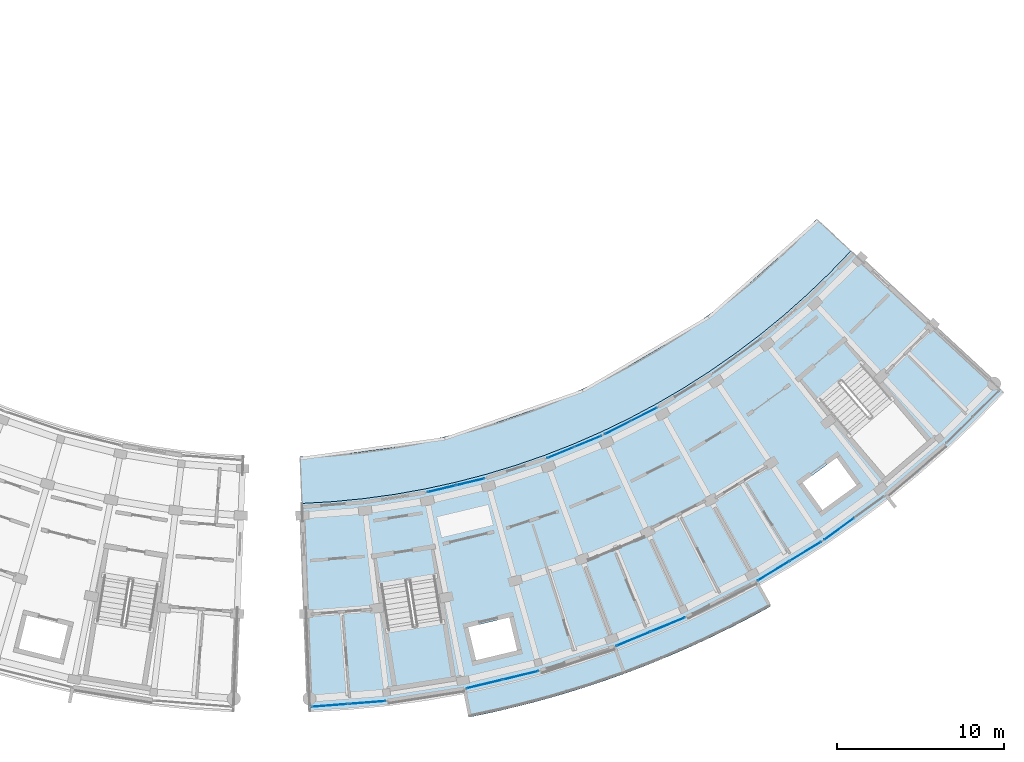
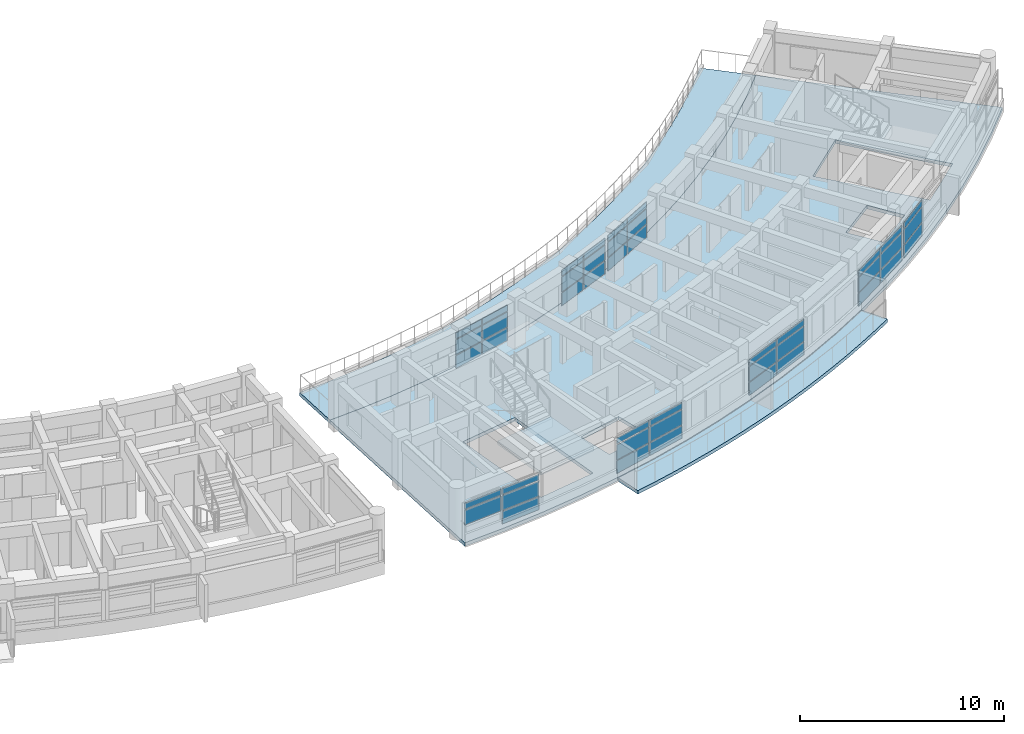
# One storey, part 25 of 54: 44 plates, 4 slabs, 9 elements without a shape of their own.
"""IFC4 building model written with IfcOpenShell, lengths in metres."""

import ifcopenshell
import ifcopenshell.guid

model = None  # the IFC model being written
_history = None  # IfcOwnerHistory: only IFC2X3 demands one
_inside = {}  # id of a spatial element -> (the spatial element, [elements in it])
_under = {}  # id of a project, library or spatial element -> (it, [spatial elements below it])
_declared = {}  # id of a project -> (the project, [libraries it declares])
_typed = {}  # id of a type object -> (the type object, [elements of that type])
_made_of = {}  # id of a material, layer set ... -> (it, [elements and type objects made of it])


def new_model(schema):
    """Start an empty IFC model of exactly this schema.

    Asked for "IFC4X3", IfcOpenShell would pick the latest addendum, in which some entities
    have other attributes; the version numbers below select the first issue.
    IFC2X3 requires an IfcOwnerHistory on every rooted entity: one is made here for all.
    """
    global model, _history
    if schema == "IFC4X3":
        model = ifcopenshell.file(schema_version=(4, 3, 0, 0))
    else:
        model = ifcopenshell.file(schema=schema)
    _inside.clear()
    _under.clear()
    _declared.clear()
    _typed.clear()
    _made_of.clear()
    _history = None
    if model.schema == "IFC2X3":
        org = make("IfcOrganization", Name="unknown")
        user = make(
            "IfcPersonAndOrganization",
            ThePerson=make("IfcPerson", FamilyName="unknown"),
            TheOrganization=org,
        )
        app = make(
            "IfcApplication",
            ApplicationDeveloper=org,
            Version="unknown",
            ApplicationFullName="unknown",
            ApplicationIdentifier="unknown",
        )
        _history = make(
            "IfcOwnerHistory",
            OwningUser=user,
            OwningApplication=app,
            ChangeAction="ADDED",
            CreationDate=0,
        )
    return model


def make(cls, **values):
    """One entity of the class cls with the attributes given. An attribute that is None is left unset."""
    return model.create_entity(
        cls, **{name: value for name, value in values.items() if value is not None}
    )


def rooted(cls, **values):
    """An entity with a GlobalId (a new one), such as an element, a storey or a relation."""
    return make(cls, GlobalId=ifcopenshell.guid.new(), OwnerHistory=_history, **values)


def si_unit(unit_type, name, prefix=None):
    """IfcSIUnit, for example si_unit("LENGTHUNIT", "METRE", prefix="MILLI")."""
    return make("IfcSIUnit", UnitType=unit_type, Prefix=prefix, Name=name)


def assignment(units):
    """IfcUnitAssignment: the units of a project."""
    return None if units is None else make("IfcUnitAssignment", Units=units)


def point(xyz):
    """IfcCartesianPoint."""
    return None if xyz is None else make("IfcCartesianPoint", Coordinates=xyz)


def direction(xyz):
    """IfcDirection."""
    return None if xyz is None else make("IfcDirection", DirectionRatios=xyz)


def frame(location, z_axis=None, x_axis=None):
    """IfcAxis2Placement3D, a coordinate frame: its origin and axes. An axis left out is left unset."""
    return make(
        "IfcAxis2Placement3D",
        Location=point(location),
        Axis=direction(z_axis),
        RefDirection=direction(x_axis),
    )


def frame_2d(location, x_axis=None):
    """IfcAxis2Placement2D, a coordinate frame in the plane: its origin and x axis."""
    return make(
        "IfcAxis2Placement2D", Location=point(location), RefDirection=direction(x_axis)
    )


def origin():
    """The frame at (0, 0, 0) with its axes left unset."""
    return frame((0.0, 0.0, 0.0))


def origin_2d():
    """The frame at (0, 0) in the plane with its x axis left unset."""
    return frame_2d((0.0, 0.0))


def place(relative_to, where):
    """IfcLocalPlacement: puts the frame where relative to a parent placement (None: the world)."""
    return make(
        "IfcLocalPlacement", PlacementRelTo=relative_to, RelativePlacement=where
    )


def context(
    kind, dimensions, precision=None, world=None, true_north=None, identifier=None
):
    """IfcGeometricRepresentationContext, for example the 3D "Model" context."""
    return make(
        "IfcGeometricRepresentationContext",
        ContextIdentifier=identifier,
        ContextType=kind,
        CoordinateSpaceDimension=dimensions,
        Precision=precision,
        WorldCoordinateSystem=world,
        TrueNorth=true_north,
    )


def subcontext(parent, identifier, kind, view, scale=None):
    """IfcGeometricRepresentationSubContext, for example "Body" below "Model"."""
    return make(
        "IfcGeometricRepresentationSubContext",
        ContextIdentifier=identifier,
        ContextType=kind,
        ParentContext=parent,
        TargetScale=scale,
        TargetView=view,
    )


def project(units=None, contexts=None):
    """IfcProject with its units and contexts."""
    return rooted(
        "IfcProject",
        Name="project",
        RepresentationContexts=contexts,
        UnitsInContext=assignment(units),
    )


def spatial(cls, under=None, at=None, **own):
    """A site, building, storey or space (cls), placed at a placement, below another one or the project."""
    s = rooted(cls, ObjectPlacement=at, **own)
    if under is not None:
        _under.setdefault(under.id(), (under, []))[1].append(s)
    return s


def polyline(points):
    """IfcPolyline through the points."""
    return make("IfcPolyline", Points=[point(p) for p in points])


def profile(cls, at=None, kind="AREA", **sizes):
    """A parametric profile (cls). Its sizes go by their IFC names, for example OverallWidth=200.0."""
    return make(cls, ProfileType=kind, Position=at, **sizes)


def rectangle(**sizes):
    """IfcRectangleProfileDef."""
    return profile("IfcRectangleProfileDef", **sizes)


def outline(outer, holes=None, kind="AREA"):
    """IfcArbitraryClosedProfileDef: a profile drawn as a closed curve; with holes, ...WithVoids."""
    if holes is None:
        return make("IfcArbitraryClosedProfileDef", ProfileType=kind, OuterCurve=outer)
    return make(
        "IfcArbitraryProfileDefWithVoids",
        ProfileType=kind,
        OuterCurve=outer,
        InnerCurves=holes,
    )


def extrude(swept, where, along, depth):
    """IfcExtrudedAreaSolid: the profile swept, set in the frame where, extruded along a direction by depth."""
    return make(
        "IfcExtrudedAreaSolid",
        SweptArea=swept,
        Position=where,
        ExtrudedDirection=direction(along),
        Depth=depth,
    )


def shape(context_of_items, identifier, shape_type, items):
    """IfcShapeRepresentation: the items that make up one representation, for example the "Body"."""
    return make(
        "IfcShapeRepresentation",
        ContextOfItems=context_of_items,
        RepresentationIdentifier=identifier,
        RepresentationType=shape_type,
        Items=items,
    )


def material(Name=None, Category=None):
    """IfcMaterial."""
    return make("IfcMaterial", Name=Name, Category=Category)


def layer(
    of_material, thickness, ventilated=None, Name=None, Category=None, Priority=None
):
    """IfcMaterialLayer: one layer of a wall or slab, of a material (None: an air gap)."""
    return make(
        "IfcMaterialLayer",
        Material=of_material,
        LayerThickness=thickness,
        IsVentilated=ventilated,
        Name=Name,
        Category=Category,
        Priority=Priority,
    )


def layer_set(layers, Name=None):
    """IfcMaterialLayerSet."""
    return make("IfcMaterialLayerSet", MaterialLayers=layers, LayerSetName=Name)


def made_of(thing, what):
    """Note that an element or type object is made of a material, layer set ...; save() writes the relation."""
    if what is not None:
        _made_of.setdefault(what.id(), (what, []))[1].append(thing)
    return thing


def type_object(cls, material=None, **own):
    """A type object (cls), such as IfcWallType, which elements share."""
    return made_of(rooted(cls, **own), material)


def element(
    cls,
    number,
    at=None,
    inside=None,
    cuts=None,
    type_object=None,
    material=None,
    context=None,
    identifier="Body",
    shape_type=None,
    held_by="IfcProductDefinitionShape",
    body=None,
    shapes=None,
    **own,
):
    """One element of the class cls, such as IfcWall. Its Tag is "e" and its number.

    at: its placement. inside: the storey or other place that contains it. cuts: it is an
    opening in that element (IfcRelVoidsElement). A single representation is given by context,
    identifier, shape_type and body (its items); several are given by shapes. held_by: the class
    of the entity that holds the representations. save() writes the other relations.
    """
    e = rooted(cls, Tag="e%d" % number, ObjectPlacement=at, **own)
    if body is not None:
        shapes = [shape(context, identifier, shape_type, body)]
    if shapes is not None:
        e.Representation = make(held_by, Representations=shapes)
    if inside is not None:
        _inside.setdefault(inside.id(), (inside, []))[1].append(e)
    if cuts is not None:
        rooted(
            "IfcRelVoidsElement", RelatingBuildingElement=cuts, RelatedOpeningElement=e
        )
    if type_object is not None:
        _typed.setdefault(type_object.id(), (type_object, []))[1].append(e)
    return made_of(e, material)


def aggregate(whole, parts):
    """IfcRelAggregates: a whole, such as a stair, and the parts it consists of."""
    return rooted("IfcRelAggregates", RelatingObject=whole, RelatedObjects=parts)


def save(model, path):
    """Write the relations noted so far, then the file.

    IfcRelAggregates (storeys below a building ...), IfcRelContainedInSpatialStructure (elements
    in a storey), IfcRelDefinesByType, IfcRelAssociatesMaterial and IfcRelDeclares: one each for
    every whole, place, type object, material and project.
    """
    for whole, parts in _under.values():
        aggregate(whole, parts)
    for where, things in _inside.values():
        rooted(
            "IfcRelContainedInSpatialStructure",
            RelatedElements=things,
            RelatingStructure=where,
        )
    for kind, things in _typed.values():
        rooted("IfcRelDefinesByType", RelatedObjects=things, RelatingType=kind)
    for what, things in _made_of.values():
        rooted("IfcRelAssociatesMaterial", RelatedObjects=things, RelatingMaterial=what)
    for by, libraries in _declared.values():
        rooted("IfcRelDeclares", RelatingContext=by, RelatedDefinitions=libraries)
    model.write(path)


model = new_model("IFC4")

# Units and contexts
model_context = context("Model", 3, precision=1e-05, world=origin(), true_north=direction((0.0, 1.0)))
body_context = subcontext(model_context, "Body", "Model", "MODEL_VIEW")
ifc_project = project(units=[si_unit("LENGTHUNIT", "METRE"), si_unit("AREAUNIT", "SQUARE_METRE"), si_unit("VOLUMEUNIT", "CUBIC_METRE"), si_unit("PLANEANGLEUNIT", "RADIAN"), si_unit("MASSUNIT", "GRAM", prefix="KILO")], contexts=[model_context])

# Site, building, storey
site_placement = place(None, origin())
site = spatial("IfcSite", under=ifc_project, at=site_placement, CompositionType="ELEMENT")
building_placement = place(site_placement, origin())
building = spatial("IfcBuilding", under=site, at=building_placement, Name="Zimvara Arc Housing Community", CompositionType="ELEMENT")
storey_placement = place(building_placement, frame((0.0, 0.0, 20.5)))
storey = spatial("IfcBuildingStorey", under=building, at=storey_placement, Name="L06", CompositionType="ELEMENT", Elevation=20.5)

# Curtain wall, plates
ifc_material_1 = material(Name="Anodised Aluminium AW-6063", Category="aluminium")
curtain_wall_type_1 = type_object("IfcCurtainWallType", Name="CW-SYS-08", PredefinedType="USERDEFINED", material=ifc_material_1)
curtain_wall_1_placement = place(storey_placement, origin())
curtain_wall_1 = element("IfcCurtainWall", 1, at=curtain_wall_1_placement, inside=storey, type_object=curtain_wall_type_1, Name="cw:blkD:L06:out:b4", ObjectType="CURTAIN WALL", PredefinedType="USERDEFINED")
ifc_material_2 = material(Name="Pale-Gold Anodised Aluminium Spandrel Panel", Category="aluminium")
ifc_layer_1 = layer(ifc_material_2, 0.035888671875)
ifc_layer_set_1 = layer_set([ifc_layer_1], Name="Pale-Gold Anodised Aluminium Spandrel Panel")
plate_type_1 = type_object("IfcPlateType", Name="CWP-GLD-36", PredefinedType="CURTAIN_PANEL", material=ifc_layer_set_1)
plate_1_placement = place(storey_placement, frame((147.603759765625, 54.594970703125, 0.06494140625), z_axis=(0.0, 0.0, 1.0), x_axis=(0.924213377749, 0.38187646221, 0.0)))
plate_1 = element("IfcPlate", 2, at=plate_1_placement, type_object=plate_type_1, Name="CW08 panel 1.1", PredefinedType="CURTAIN_PANEL", context=body_context, shape_type="SweptSolid", body=[
    extrude(rectangle(XDim=2.173828125, YDim=0.035888671875, at=origin_2d()), origin(), (0.0, 0.0, 1.0), 0.75244140625),
])
plate_2_placement = place(storey_placement, frame((147.603759765625, 54.594970703125, 0.88232421875), z_axis=(0.0, 0.0, 1.0), x_axis=(0.924213377749, 0.38187646221, 0.0)))
plate_2 = element("IfcPlate", 3, at=plate_2_placement, type_object=plate_type_1, Name="CW08 panel 1.2", PredefinedType="CURTAIN_PANEL", context=body_context, shape_type="SweptSolid", body=[
    extrude(rectangle(XDim=2.173828125, YDim=0.035888671875, at=origin_2d()), origin(), (0.0, 0.0, 1.0), 0.885009765625),
])
plate_3_placement = place(storey_placement, frame((147.603759765625, 54.594970703125, 1.83251953125), z_axis=(0.0, 0.0, 1.0), x_axis=(0.924213377749, 0.38187646221, 0.0)))
plate_3 = element("IfcPlate", 4, at=plate_3_placement, type_object=plate_type_1, Name="CW08 panel 1.3", PredefinedType="CURTAIN_PANEL", context=body_context, shape_type="SweptSolid", body=[
    extrude(rectangle(XDim=2.173828125, YDim=0.035888671875, at=origin_2d()), origin(), (0.0, 0.0, 1.0), 0.3525390625),
])
plate_4_placement = place(storey_placement, frame((149.6728515625, 55.449951171875, 0.06494140625), z_axis=(0.0, 0.0, 1.0), x_axis=(0.924213377749, 0.38187646221, 0.0)))
plate_4 = element("IfcPlate", 5, at=plate_4_placement, type_object=plate_type_1, Name="CW08 panel 2.1", PredefinedType="CURTAIN_PANEL", context=body_context, shape_type="SweptSolid", body=[
    extrude(rectangle(XDim=2.173828125, YDim=0.035888671875, at=origin_2d()), origin(), (0.0, 0.0, 1.0), 0.75244140625),
])
plate_5_placement = place(storey_placement, frame((149.6728515625, 55.449951171875, 0.88232421875), z_axis=(0.0, 0.0, 1.0), x_axis=(0.924213377749, 0.38187646221, 0.0)))
plate_5 = element("IfcPlate", 6, at=plate_5_placement, type_object=plate_type_1, Name="CW08 panel 2.2", PredefinedType="CURTAIN_PANEL", context=body_context, shape_type="SweptSolid", body=[
    extrude(rectangle(XDim=2.173828125, YDim=0.035888671875, at=origin_2d()), origin(), (0.0, 0.0, 1.0), 0.885009765625),
])
plate_6_placement = place(storey_placement, frame((149.6728515625, 55.449951171875, 1.83251953125), z_axis=(0.0, 0.0, 1.0), x_axis=(0.924213377749, 0.38187646221, 0.0)))
plate_6 = element("IfcPlate", 7, at=plate_6_placement, type_object=plate_type_1, Name="CW08 panel 2.3", PredefinedType="CURTAIN_PANEL", context=body_context, shape_type="SweptSolid", body=[
    extrude(rectangle(XDim=2.173828125, YDim=0.035888671875, at=origin_2d()), origin(), (0.0, 0.0, 1.0), 0.3525390625),
])
aggregate(curtain_wall_1, [plate_1, plate_2, plate_3, plate_4, plate_5, plate_6])

ifc_material_3 = material(Name="Anodised Aluminium AW-6063", Category="aluminium")
curtain_wall_type_2 = type_object("IfcCurtainWallType", Name="CW-SYS-04", PredefinedType="USERDEFINED", material=ifc_material_3)
curtain_wall_2_placement = place(storey_placement, origin())
curtain_wall_2 = element("IfcCurtainWall", 8, at=curtain_wall_2_placement, inside=storey, type_object=curtain_wall_type_2, Name="cw:blkD:L06:out:b7", ObjectType="CURTAIN WALL", PredefinedType="USERDEFINED")
plate_7_placement = place(storey_placement, frame((159.90771484375, 61.169921875, 0.06494140625), z_axis=(0.0, 0.0, 1.0), x_axis=(0.809530431263, 0.587077917196, 0.0)))
plate_7 = element("IfcPlate", 9, at=plate_7_placement, type_object=plate_type_1, Name="CW04 panel 1.1", PredefinedType="CURTAIN_PANEL", context=body_context, shape_type="SweptSolid", body=[
    extrude(rectangle(XDim=2.173828125, YDim=0.035888671875, at=origin_2d()), origin(), (0.0, 0.0, 1.0), 0.75244140625),
])
plate_8_placement = place(storey_placement, frame((159.90771484375, 61.169921875, 0.88232421875), z_axis=(0.0, 0.0, 1.0), x_axis=(0.809530431263, 0.587077917196, 0.0)))
plate_8 = element("IfcPlate", 10, at=plate_8_placement, type_object=plate_type_1, Name="CW04 panel 1.2", PredefinedType="CURTAIN_PANEL", context=body_context, shape_type="SweptSolid", body=[
    extrude(rectangle(XDim=2.173828125, YDim=0.035888671875, at=origin_2d()), origin(), (0.0, 0.0, 1.0), 0.885009765625),
])
plate_9_placement = place(storey_placement, frame((159.90771484375, 61.169921875, 1.83251953125), z_axis=(0.0, 0.0, 1.0), x_axis=(0.809530431263, 0.587077917196, 0.0)))
plate_9 = element("IfcPlate", 11, at=plate_9_placement, type_object=plate_type_1, Name="CW04 panel 1.3", PredefinedType="CURTAIN_PANEL", context=body_context, shape_type="SweptSolid", body=[
    extrude(rectangle(XDim=2.173828125, YDim=0.035888671875, at=origin_2d()), origin(), (0.0, 0.0, 1.0), 0.3525390625),
])
aggregate(curtain_wall_2, [plate_7, plate_8, plate_9])

ifc_material_4 = material(Name="Anodised Aluminium AW-6063", Category="aluminium")
curtain_wall_type_3 = type_object("IfcCurtainWallType", Name="CW-SYS-05", PredefinedType="USERDEFINED", material=ifc_material_4)
curtain_wall_3_placement = place(storey_placement, origin())
curtain_wall_3 = element("IfcCurtainWall", 12, at=curtain_wall_3_placement, inside=storey, type_object=curtain_wall_type_3, Name="cw:blkD:L06:out:b0", ObjectType="CURTAIN WALL", PredefinedType="USERDEFINED")
ifc_material_5 = material(Name="Solar Control Low-E Double Glazing", Category="glass")
ifc_layer_2 = layer(ifc_material_5, 0.02392578125)
ifc_layer_set_2 = layer_set([ifc_layer_2], Name="Solar Control Low-E Double Glazing")
plate_type_2 = type_object("IfcPlateType", Name="CWP-GLZ-24", PredefinedType="CURTAIN_PANEL", material=ifc_layer_set_2)
plate_10_placement = place(storey_placement, frame((129.4677734375, 50.61767578125, 0.88232421875), z_axis=(0.0, 0.0, 1.0), x_axis=(0.996985387849, 0.077589538059, 0.0)))
plate_10 = element("IfcPlate", 13, at=plate_10_placement, type_object=plate_type_2, Name="CW05 panel 1.2", PredefinedType="CURTAIN_PANEL", context=body_context, shape_type="SweptSolid", body=[
    extrude(rectangle(XDim=2.173828125, YDim=0.02392578125, at=origin_2d()), origin(), (0.0, 0.0, 1.0), 0.885009765625),
])
plate_11_placement = place(storey_placement, frame((129.4677734375, 50.61767578125, 1.83251953125), z_axis=(0.0, 0.0, 1.0), x_axis=(0.996985387849, 0.077589538059, 0.0)))
plate_11 = element("IfcPlate", 14, at=plate_11_placement, type_object=plate_type_2, Name="CW05 panel 1.3", PredefinedType="CURTAIN_PANEL", context=body_context, shape_type="SweptSolid", body=[
    extrude(rectangle(XDim=2.173828125, YDim=0.02392578125, at=origin_2d()), origin(), (0.0, 0.0, 1.0), 0.3525390625),
])
plate_12_placement = place(storey_placement, frame((131.69970703125, 50.79150390625, 0.06494140625), z_axis=(0.0, 0.0, 1.0), x_axis=(0.996985387849, 0.077589538059, 0.0)))
plate_12 = element("IfcPlate", 15, at=plate_12_placement, type_object=plate_type_2, Name="CW05 panel 2.1", PredefinedType="CURTAIN_PANEL", context=body_context, shape_type="SweptSolid", body=[
    extrude(rectangle(XDim=2.173828125, YDim=0.02392578125, at=origin_2d()), origin(), (0.0, 0.0, 1.0), 0.75244140625),
])
plate_13_placement = place(storey_placement, frame((131.69970703125, 50.79150390625, 0.88232421875), z_axis=(0.0, 0.0, 1.0), x_axis=(0.996985387849, 0.077589538059, 0.0)))
plate_13 = element("IfcPlate", 16, at=plate_13_placement, type_object=plate_type_2, Name="CW05 panel 2.2", PredefinedType="CURTAIN_PANEL", context=body_context, shape_type="SweptSolid", body=[
    extrude(rectangle(XDim=2.173828125, YDim=0.02392578125, at=origin_2d()), origin(), (0.0, 0.0, 1.0), 0.885009765625),
])
plate_14_placement = place(storey_placement, frame((131.69970703125, 50.79150390625, 1.83251953125), z_axis=(0.0, 0.0, 1.0), x_axis=(0.996985387849, 0.077589538059, 0.0)))
plate_14 = element("IfcPlate", 17, at=plate_14_placement, type_object=plate_type_2, Name="CW05 panel 2.3", PredefinedType="CURTAIN_PANEL", context=body_context, shape_type="SweptSolid", body=[
    extrude(rectangle(XDim=2.173828125, YDim=0.02392578125, at=origin_2d()), origin(), (0.0, 0.0, 1.0), 0.3525390625),
])
aggregate(curtain_wall_3, [plate_10, plate_11, plate_12, plate_13, plate_14])

ifc_material_6 = material(Name="Anodised Aluminium AW-6063", Category="aluminium")
curtain_wall_type_4 = type_object("IfcCurtainWallType", Name="CW-SYS-01", PredefinedType="USERDEFINED", material=ifc_material_6)
curtain_wall_4_placement = place(storey_placement, origin())
curtain_wall_4 = element("IfcCurtainWall", 18, at=curtain_wall_4_placement, inside=storey, type_object=curtain_wall_type_4, Name="cw:blkD:L06:in:b4", ObjectType="CURTAIN WALL", PredefinedType="USERDEFINED")
plate_15_placement = place(storey_placement, frame((143.257080078125, 65.729736328125, 0.06494140625), z_axis=(0.0, 0.0, 1.0), x_axis=(0.924212735561, 0.381878016422, 0.0)))
plate_15 = element("IfcPlate", 19, at=plate_15_placement, type_object=plate_type_2, Name="CW01 panel 1.1", PredefinedType="CURTAIN_PANEL", context=body_context, shape_type="SweptSolid", body=[
    extrude(rectangle(XDim=1.7041015625, YDim=0.02392578125, at=origin_2d()), origin(), (0.0, 0.0, 1.0), 0.75244140625),
])
plate_16_placement = place(storey_placement, frame((143.257080078125, 65.729736328125, 0.88232421875), z_axis=(0.0, 0.0, 1.0), x_axis=(0.924212735561, 0.381878016422, 0.0)))
plate_16 = element("IfcPlate", 20, at=plate_16_placement, type_object=plate_type_2, Name="CW01 panel 1.2", PredefinedType="CURTAIN_PANEL", context=body_context, shape_type="SweptSolid", body=[
    extrude(rectangle(XDim=1.7041015625, YDim=0.02392578125, at=origin_2d()), origin(), (0.0, 0.0, 1.0), 0.885009765625),
])
plate_17_placement = place(storey_placement, frame((143.257080078125, 65.729736328125, 1.83251953125), z_axis=(0.0, 0.0, 1.0), x_axis=(0.924212735561, 0.381878016422, 0.0)))
plate_17 = element("IfcPlate", 21, at=plate_17_placement, type_object=plate_type_2, Name="CW01 panel 1.3", PredefinedType="CURTAIN_PANEL", context=body_context, shape_type="SweptSolid", body=[
    extrude(rectangle(XDim=1.7041015625, YDim=0.02392578125, at=origin_2d()), origin(), (0.0, 0.0, 1.0), 0.3525390625),
])
plate_18_placement = place(storey_placement, frame((144.89208984375, 66.405517578125, 0.06494140625), z_axis=(0.0, 0.0, 1.0), x_axis=(0.924212735561, 0.381878016422, 0.0)))
plate_18 = element("IfcPlate", 22, at=plate_18_placement, type_object=plate_type_2, Name="CW01 panel 2.1", PredefinedType="CURTAIN_PANEL", context=body_context, shape_type="SweptSolid", body=[
    extrude(rectangle(XDim=1.7041015625, YDim=0.02392578125, at=origin_2d()), origin(), (0.0, 0.0, 1.0), 0.75244140625),
])
plate_19_placement = place(storey_placement, frame((144.89208984375, 66.405517578125, 0.88232421875), z_axis=(0.0, 0.0, 1.0), x_axis=(0.924212735561, 0.381878016422, 0.0)))
plate_19 = element("IfcPlate", 23, at=plate_19_placement, type_object=plate_type_2, Name="CW01 panel 2.2", PredefinedType="CURTAIN_PANEL", context=body_context, shape_type="SweptSolid", body=[
    extrude(rectangle(XDim=1.7041015625, YDim=0.02392578125, at=origin_2d()), origin(), (0.0, 0.0, 1.0), 0.885009765625),
])
plate_20_placement = place(storey_placement, frame((144.89208984375, 66.405517578125, 1.83251953125), z_axis=(0.0, 0.0, 1.0), x_axis=(0.924212735561, 0.381878016422, 0.0)))
plate_20 = element("IfcPlate", 24, at=plate_20_placement, type_object=plate_type_2, Name="CW01 panel 2.3", PredefinedType="CURTAIN_PANEL", context=body_context, shape_type="SweptSolid", body=[
    extrude(rectangle(XDim=1.7041015625, YDim=0.02392578125, at=origin_2d()), origin(), (0.0, 0.0, 1.0), 0.3525390625),
])
aggregate(curtain_wall_4, [plate_15, plate_16, plate_17, plate_18, plate_19, plate_20])

ifc_material_7 = material(Name="Anodised Aluminium AW-6063", Category="aluminium")
curtain_wall_type_5 = type_object("IfcCurtainWallType", Name="CW-SYS-06", PredefinedType="USERDEFINED", material=ifc_material_7)
curtain_wall_5_placement = place(storey_placement, origin())
curtain_wall_5 = element("IfcCurtainWall", 25, at=curtain_wall_5_placement, inside=storey, type_object=curtain_wall_type_5, Name="cw:blkD:L06:out:b2", ObjectType="CURTAIN WALL", PredefinedType="USERDEFINED")
ifc_material_8 = material(Name="Solar Control Low-E Double Glazing", Category="glass")
ifc_layer_3 = layer(ifc_material_8, 0.028076171875)
ifc_layer_set_3 = layer_set([ifc_layer_3], Name="Solar Control Low-E Double Glazing")
plate_type_3 = type_object("IfcPlateType", Name="CWP-GLZ-28", PredefinedType="CURTAIN_PANEL", material=ifc_layer_set_3)
plate_21_placement = place(storey_placement, frame((138.6923828125, 51.892822265625, 0.06494140625), z_axis=(0.0, 0.0, 1.0), x_axis=(0.97257325149, 0.232596798101, 0.0)))
plate_21 = element("IfcPlate", 26, at=plate_21_placement, type_object=plate_type_3, Name="CW06 panel 1.1", PredefinedType="CURTAIN_PANEL", context=body_context, shape_type="SweptSolid", body=[
    extrude(rectangle(XDim=2.173828125, YDim=0.028076171875, at=origin_2d()), origin(), (0.0, 0.0, 1.0), 0.75244140625),
])
plate_22_placement = place(storey_placement, frame((138.6923828125, 51.892822265625, 0.88232421875), z_axis=(0.0, 0.0, 1.0), x_axis=(0.97257325149, 0.232596798101, 0.0)))
plate_22 = element("IfcPlate", 27, at=plate_22_placement, type_object=plate_type_3, Name="CW06 panel 1.2", PredefinedType="CURTAIN_PANEL", context=body_context, shape_type="SweptSolid", body=[
    extrude(rectangle(XDim=2.173828125, YDim=0.028076171875, at=origin_2d()), origin(), (0.0, 0.0, 1.0), 0.885009765625),
])
plate_23_placement = place(storey_placement, frame((138.6923828125, 51.892822265625, 1.83251953125), z_axis=(0.0, 0.0, 1.0), x_axis=(0.97257325149, 0.232596798101, 0.0)))
plate_23 = element("IfcPlate", 28, at=plate_23_placement, type_object=plate_type_3, Name="CW06 panel 1.3", PredefinedType="CURTAIN_PANEL", context=body_context, shape_type="SweptSolid", body=[
    extrude(rectangle(XDim=2.173828125, YDim=0.028076171875, at=origin_2d()), origin(), (0.0, 0.0, 1.0), 0.3525390625),
])
plate_24_placement = place(storey_placement, frame((140.86962890625, 52.41357421875, 0.06494140625), z_axis=(0.0, 0.0, 1.0), x_axis=(0.97257325149, 0.232596798101, 0.0)))
plate_24 = element("IfcPlate", 29, at=plate_24_placement, type_object=plate_type_3, Name="CW06 panel 2.1", PredefinedType="CURTAIN_PANEL", context=body_context, shape_type="SweptSolid", body=[
    extrude(rectangle(XDim=2.173828125, YDim=0.028076171875, at=origin_2d()), origin(), (0.0, 0.0, 1.0), 0.75244140625),
])
plate_25_placement = place(storey_placement, frame((140.86962890625, 52.41357421875, 0.88232421875), z_axis=(0.0, 0.0, 1.0), x_axis=(0.97257325149, 0.232596798101, 0.0)))
plate_25 = element("IfcPlate", 30, at=plate_25_placement, type_object=plate_type_3, Name="CW06 panel 2.2", PredefinedType="CURTAIN_PANEL", context=body_context, shape_type="SweptSolid", body=[
    extrude(rectangle(XDim=2.173828125, YDim=0.028076171875, at=origin_2d()), origin(), (0.0, 0.0, 1.0), 0.885009765625),
])
plate_26_placement = place(storey_placement, frame((140.86962890625, 52.41357421875, 1.83251953125), z_axis=(0.0, 0.0, 1.0), x_axis=(0.97257325149, 0.232596798101, 0.0)))
plate_26 = element("IfcPlate", 31, at=plate_26_placement, type_object=plate_type_3, Name="CW06 panel 2.3", PredefinedType="CURTAIN_PANEL", context=body_context, shape_type="SweptSolid", body=[
    extrude(rectangle(XDim=2.173828125, YDim=0.028076171875, at=origin_2d()), origin(), (0.0, 0.0, 1.0), 0.3525390625),
])
aggregate(curtain_wall_5, [plate_21, plate_22, plate_23, plate_24, plate_25, plate_26])

ifc_material_9 = material(Name="Anodised Aluminium AW-6063", Category="aluminium")
curtain_wall_type_6 = type_object("IfcCurtainWallType", Name="CW-SYS-02", PredefinedType="USERDEFINED", material=ifc_material_9)
curtain_wall_6_placement = place(storey_placement, origin())
curtain_wall_6 = element("IfcCurtainWall", 32, at=curtain_wall_6_placement, inside=storey, type_object=curtain_wall_type_6, Name="cw:blkD:L06:in:b5", ObjectType="CURTAIN WALL", PredefinedType="USERDEFINED")
plate_27_placement = place(storey_placement, frame((146.666259765625, 67.221435546875, 0.06494140625), z_axis=(0.0, 0.0, 1.0), x_axis=(0.891402061772, 0.453213376091, 0.0)))
plate_27 = element("IfcPlate", 33, at=plate_27_placement, type_object=plate_type_3, Name="CW02 panel 1.1", PredefinedType="CURTAIN_PANEL", context=body_context, shape_type="SweptSolid", body=[
    extrude(rectangle(XDim=1.7041015625, YDim=0.028076171875, at=origin_2d()), origin(), (0.0, 0.0, 1.0), 0.75244140625),
])
plate_28_placement = place(storey_placement, frame((146.666259765625, 67.221435546875, 0.88232421875), z_axis=(0.0, 0.0, 1.0), x_axis=(0.891402061772, 0.453213376091, 0.0)))
plate_28 = element("IfcPlate", 34, at=plate_28_placement, type_object=plate_type_3, Name="CW02 panel 1.2", PredefinedType="CURTAIN_PANEL", context=body_context, shape_type="SweptSolid", body=[
    extrude(rectangle(XDim=1.7041015625, YDim=0.028076171875, at=origin_2d()), origin(), (0.0, 0.0, 1.0), 0.885009765625),
])
plate_29_placement = place(storey_placement, frame((146.666259765625, 67.221435546875, 1.83251953125), z_axis=(0.0, 0.0, 1.0), x_axis=(0.891402061772, 0.453213376091, 0.0)))
plate_29 = element("IfcPlate", 35, at=plate_29_placement, type_object=plate_type_3, Name="CW02 panel 1.3", PredefinedType="CURTAIN_PANEL", context=body_context, shape_type="SweptSolid", body=[
    extrude(rectangle(XDim=1.7041015625, YDim=0.028076171875, at=origin_2d()), origin(), (0.0, 0.0, 1.0), 0.3525390625),
])
plate_30_placement = place(storey_placement, frame((148.243408203125, 68.023193359375, 0.06494140625), z_axis=(0.0, 0.0, 1.0), x_axis=(0.891402061772, 0.453213376091, 0.0)))
plate_30 = element("IfcPlate", 36, at=plate_30_placement, type_object=plate_type_3, Name="CW02 panel 2.1", PredefinedType="CURTAIN_PANEL", context=body_context, shape_type="SweptSolid", body=[
    extrude(rectangle(XDim=1.7041015625, YDim=0.028076171875, at=origin_2d()), origin(), (0.0, 0.0, 1.0), 0.75244140625),
])
plate_31_placement = place(storey_placement, frame((148.243408203125, 68.023193359375, 0.88232421875), z_axis=(0.0, 0.0, 1.0), x_axis=(0.891402061772, 0.453213376091, 0.0)))
plate_31 = element("IfcPlate", 37, at=plate_31_placement, type_object=plate_type_3, Name="CW02 panel 2.2", PredefinedType="CURTAIN_PANEL", context=body_context, shape_type="SweptSolid", body=[
    extrude(rectangle(XDim=1.7041015625, YDim=0.028076171875, at=origin_2d()), origin(), (0.0, 0.0, 1.0), 0.885009765625),
])
plate_32_placement = place(storey_placement, frame((148.243408203125, 68.023193359375, 1.83251953125), z_axis=(0.0, 0.0, 1.0), x_axis=(0.891402061772, 0.453213376091, 0.0)))
plate_32 = element("IfcPlate", 38, at=plate_32_placement, type_object=plate_type_3, Name="CW02 panel 2.3", PredefinedType="CURTAIN_PANEL", context=body_context, shape_type="SweptSolid", body=[
    extrude(rectangle(XDim=1.7041015625, YDim=0.028076171875, at=origin_2d()), origin(), (0.0, 0.0, 1.0), 0.3525390625),
])
aggregate(curtain_wall_6, [plate_27, plate_28, plate_29, plate_30, plate_31, plate_32])

ifc_material_10 = material(Name="Anodised Aluminium AW-6063", Category="aluminium")
curtain_wall_type_7 = type_object("IfcCurtainWallType", Name="CW-SYS-07", PredefinedType="USERDEFINED", material=ifc_material_10)
curtain_wall_7_placement = place(storey_placement, origin())
curtain_wall_7 = element("IfcCurtainWall", 39, at=curtain_wall_7_placement, inside=storey, type_object=curtain_wall_type_7, Name="cw:blkD:L06:in:b2", ObjectType="CURTAIN WALL", PredefinedType="USERDEFINED")
ifc_material_11 = material(Name="Acoustic Laminated Solar Glazing", Category="glass")
ifc_layer_4 = layer(ifc_material_11, 0.031982421875)
ifc_layer_set_4 = layer_set([ifc_layer_4], Name="Acoustic Laminated Solar Glazing")
plate_type_4 = type_object("IfcPlateType", Name="CWP-GLZ-32", PredefinedType="CURTAIN_PANEL", material=ifc_layer_set_4)
plate_33_placement = place(storey_placement, frame((136.140869140625, 63.5703125, 0.06494140625), z_axis=(0.0, 0.0, 1.0), x_axis=(0.972573200867, 0.232597009774, 0.0)))
plate_33 = element("IfcPlate", 40, at=plate_33_placement, type_object=plate_type_4, Name="CW07 panel 1.1", PredefinedType="CURTAIN_PANEL", context=body_context, shape_type="SweptSolid", body=[
    extrude(rectangle(XDim=1.7041015625, YDim=0.031982421875, at=origin_2d()), origin(), (0.0, 0.0, 1.0), 0.75244140625),
])
plate_34_placement = place(storey_placement, frame((136.140869140625, 63.5703125, 0.88232421875), z_axis=(0.0, 0.0, 1.0), x_axis=(0.972573200867, 0.232597009774, 0.0)))
plate_34 = element("IfcPlate", 41, at=plate_34_placement, type_object=plate_type_4, Name="CW07 panel 1.2", PredefinedType="CURTAIN_PANEL", context=body_context, shape_type="SweptSolid", body=[
    extrude(rectangle(XDim=1.7041015625, YDim=0.031982421875, at=origin_2d()), origin(), (0.0, 0.0, 1.0), 0.885009765625),
])
plate_35_placement = place(storey_placement, frame((136.140869140625, 63.5703125, 1.83251953125), z_axis=(0.0, 0.0, 1.0), x_axis=(0.972573200867, 0.232597009774, 0.0)))
plate_35 = element("IfcPlate", 42, at=plate_35_placement, type_object=plate_type_4, Name="CW07 panel 1.3", PredefinedType="CURTAIN_PANEL", context=body_context, shape_type="SweptSolid", body=[
    extrude(rectangle(XDim=1.7041015625, YDim=0.031982421875, at=origin_2d()), origin(), (0.0, 0.0, 1.0), 0.3525390625),
])
plate_36_placement = place(storey_placement, frame((137.861572265625, 63.98193359375, 0.06494140625), z_axis=(0.0, 0.0, 1.0), x_axis=(0.972573200867, 0.232597009774, 0.0)))
plate_36 = element("IfcPlate", 43, at=plate_36_placement, type_object=plate_type_4, Name="CW07 panel 2.1", PredefinedType="CURTAIN_PANEL", context=body_context, shape_type="SweptSolid", body=[
    extrude(rectangle(XDim=1.7041015625, YDim=0.031982421875, at=origin_2d()), origin(), (0.0, 0.0, 1.0), 0.75244140625),
])
plate_37_placement = place(storey_placement, frame((137.861572265625, 63.98193359375, 0.88232421875), z_axis=(0.0, 0.0, 1.0), x_axis=(0.972573200867, 0.232597009774, 0.0)))
plate_37 = element("IfcPlate", 44, at=plate_37_placement, type_object=plate_type_4, Name="CW07 panel 2.2", PredefinedType="CURTAIN_PANEL", context=body_context, shape_type="SweptSolid", body=[
    extrude(rectangle(XDim=1.7041015625, YDim=0.031982421875, at=origin_2d()), origin(), (0.0, 0.0, 1.0), 0.885009765625),
])
plate_38_placement = place(storey_placement, frame((137.861572265625, 63.98193359375, 1.83251953125), z_axis=(0.0, 0.0, 1.0), x_axis=(0.972573200867, 0.232597009774, 0.0)))
plate_38 = element("IfcPlate", 45, at=plate_38_placement, type_object=plate_type_4, Name="CW07 panel 2.3", PredefinedType="CURTAIN_PANEL", context=body_context, shape_type="SweptSolid", body=[
    extrude(rectangle(XDim=1.7041015625, YDim=0.031982421875, at=origin_2d()), origin(), (0.0, 0.0, 1.0), 0.3525390625),
])
aggregate(curtain_wall_7, [plate_33, plate_34, plate_35, plate_36, plate_37, plate_38])

ifc_material_12 = material(Name="Anodised Aluminium AW-6063", Category="aluminium")
curtain_wall_type_8 = type_object("IfcCurtainWallType", Name="CW-SYS-03", PredefinedType="USERDEFINED", material=ifc_material_12)
curtain_wall_8_placement = place(storey_placement, origin())
curtain_wall_8 = element("IfcCurtainWall", 46, at=curtain_wall_8_placement, inside=storey, type_object=curtain_wall_type_8, Name="cw:blkD:L06:out:b6", ObjectType="CURTAIN WALL", PredefinedType="USERDEFINED")
plate_39_placement = place(storey_placement, frame((155.98291015625, 58.658203125, 0.06494140625), z_axis=(0.0, 0.0, 1.0), x_axis=(0.853095835272, 0.521754248513, 0.0)))
plate_39 = element("IfcPlate", 47, at=plate_39_placement, type_object=plate_type_4, Name="CW03 panel 1.1", PredefinedType="CURTAIN_PANEL", context=body_context, shape_type="SweptSolid", body=[
    extrude(rectangle(XDim=2.173828125, YDim=0.031982421875, at=origin_2d()), origin(), (0.0, 0.0, 1.0), 0.75244140625),
])
plate_40_placement = place(storey_placement, frame((155.98291015625, 58.658203125, 0.88232421875), z_axis=(0.0, 0.0, 1.0), x_axis=(0.853095835272, 0.521754248513, 0.0)))
plate_40 = element("IfcPlate", 48, at=plate_40_placement, type_object=plate_type_4, Name="CW03 panel 1.2", PredefinedType="CURTAIN_PANEL", context=body_context, shape_type="SweptSolid", body=[
    extrude(rectangle(XDim=2.173828125, YDim=0.031982421875, at=origin_2d()), origin(), (0.0, 0.0, 1.0), 0.885009765625),
])
plate_41_placement = place(storey_placement, frame((155.98291015625, 58.658203125, 1.83251953125), z_axis=(0.0, 0.0, 1.0), x_axis=(0.853095835272, 0.521754248513, 0.0)))
plate_41 = element("IfcPlate", 49, at=plate_41_placement, type_object=plate_type_4, Name="CW03 panel 1.3", PredefinedType="CURTAIN_PANEL", context=body_context, shape_type="SweptSolid", body=[
    extrude(rectangle(XDim=2.173828125, YDim=0.031982421875, at=origin_2d()), origin(), (0.0, 0.0, 1.0), 0.3525390625),
])
plate_42_placement = place(storey_placement, frame((157.892822265625, 59.826171875, 0.06494140625), z_axis=(0.0, 0.0, 1.0), x_axis=(0.853095835272, 0.521754248513, 0.0)))
plate_42 = element("IfcPlate", 50, at=plate_42_placement, type_object=plate_type_4, Name="CW03 panel 2.1", PredefinedType="CURTAIN_PANEL", context=body_context, shape_type="SweptSolid", body=[
    extrude(rectangle(XDim=2.173828125, YDim=0.031982421875, at=origin_2d()), origin(), (0.0, 0.0, 1.0), 0.75244140625),
])
plate_43_placement = place(storey_placement, frame((157.892822265625, 59.826171875, 0.88232421875), z_axis=(0.0, 0.0, 1.0), x_axis=(0.853095835272, 0.521754248513, 0.0)))
plate_43 = element("IfcPlate", 51, at=plate_43_placement, type_object=plate_type_4, Name="CW03 panel 2.2", PredefinedType="CURTAIN_PANEL", context=body_context, shape_type="SweptSolid", body=[
    extrude(rectangle(XDim=2.173828125, YDim=0.031982421875, at=origin_2d()), origin(), (0.0, 0.0, 1.0), 0.885009765625),
])
plate_44_placement = place(storey_placement, frame((157.892822265625, 59.826171875, 1.83251953125), z_axis=(0.0, 0.0, 1.0), x_axis=(0.853095835272, 0.521754248513, 0.0)))
plate_44 = element("IfcPlate", 52, at=plate_44_placement, type_object=plate_type_4, Name="CW03 panel 2.3", PredefinedType="CURTAIN_PANEL", context=body_context, shape_type="SweptSolid", body=[
    extrude(rectangle(XDim=2.173828125, YDim=0.031982421875, at=origin_2d()), origin(), (0.0, 0.0, 1.0), 0.3525390625),
])
aggregate(curtain_wall_8, [plate_39, plate_40, plate_41, plate_42, plate_43, plate_44])

# Stair, slab
ifc_material_13 = material(Name="Concrete C35/45", Category="concrete")
stair_type = type_object("IfcStairType", Name="STR-DL-310-310", PredefinedType="HALF_TURN_STAIR", material=ifc_material_13)
stair_placement = place(storey_placement, origin())
stair = element("IfcStair", 53, at=stair_placement, inside=storey, type_object=stair_type, Name="L06 Block D Exit Stair 1", PredefinedType="HALF_TURN_STAIR")
ifc_material_14 = material(Name="Concrete C35/45", Category="concrete")
ifc_layer_5 = layer(ifc_material_14, 0.199951171875)
ifc_layer_set_5 = layer_set([ifc_layer_5], Name="Concrete C35/45")
slab_type_1 = type_object("IfcSlabType", Name="SLB-STAIR-LND-200", PredefinedType="LANDING", material=ifc_layer_set_5)
slab_1_placement = place(storey_placement, frame((0.0, 0.0, 1.35009765625)))
slab_1 = element("IfcSlab", 54, at=slab_1_placement, type_object=slab_type_1, Name="ST-D1 landing 1", PredefinedType="LANDING", context=body_context, shape_type="SweptSolid", body=[
    extrude(outline(polyline([(132.900390625, 55.1201171875), (133.427734375, 51.771484375), (136.746826171875, 52.294189453125), (136.219482421875, 55.642822265625), (132.900390625, 55.1201171875)])), origin(), (0.0, 0.0, 1.0), 0.199951171875),
])
aggregate(stair, [slab_1])

# Slabs
ifc_material_15 = material(Name="Concrete C35/45", Category="concrete")
ifc_layer_6 = layer(ifc_material_15, 0.2099609375)
ifc_layer_set_6 = layer_set([ifc_layer_6], Name="Concrete C35/45")
slab_type_2 = type_object("IfcSlabType", Name="SLB-TER-210", PredefinedType="FLOOR", material=ifc_layer_set_6)
slab_2_placement = place(storey_placement, frame((0.0, 0.0, -0.2099609375)))
element("IfcSlab", 55, at=slab_2_placement, inside=storey, type_object=slab_type_2, Name="slab:blkD:L06:terrace", PredefinedType="FLOOR", context=body_context, shape_type="SweptSolid", body=[
    extrude(outline(polyline([(127.7919921875, 62.69482421875), (129.64208984375, 62.80224609375), (131.48681640625, 62.982421875), (133.322998046875, 63.234619140625), (135.14794921875, 63.558837890625), (136.95849609375, 63.95458984375), (138.75244140625, 64.4208984375), (140.5263671875, 64.95751953125), (142.278076171875, 65.563232421875), (144.004638671875, 66.237060546875), (145.703369140625, 66.978515625), (147.37158203125, 67.785888671875), (149.007080078125, 68.657958984375), (150.606689453125, 69.593994140625), (152.168701171875, 70.591796875), (153.690185546875, 71.650146484375), (155.1689453125, 72.767578125), (156.6025390625, 73.942138671875), (157.9892578125, 75.172119140625), (159.326416015625, 76.45556640625), (160.612060546875, 77.790283203125), (158.5576171875, 79.69287109375), (157.34814453125, 78.43701171875), (156.09033203125, 77.229736328125), (154.7861328125, 76.07275390625), (153.437255859375, 74.968017578125), (152.04638671875, 73.9169921875), (150.614990234375, 72.921142578125), (149.14599609375, 71.982666015625), (147.640869140625, 71.102294921875), (146.1025390625, 70.28173828125), (144.533203125, 69.522216796875), (142.935302734375, 68.824951171875), (141.311279296875, 68.19091796875), (139.66357421875, 67.62109375), (137.99462890625, 67.116455078125), (136.307373046875, 66.677734375), (134.60400390625, 66.3056640625), (132.887451171875, 66.00048828125), (131.16015625, 65.76318359375), (129.425048828125, 65.59375), (127.684326171875, 65.49267578125), (127.7919921875, 62.69482421875)])), origin(), (0.0, 0.0, 1.0), 0.2099609375),
])
slab_3_placement = place(storey_placement, frame((0.0, 0.0, -0.2099609375)))
element("IfcSlab", 56, at=slab_3_placement, inside=storey, type_object=slab_type_2, Name="slab:blkD:L06:bal_out", PredefinedType="FLOOR", context=body_context, shape_type="SweptSolid", body=[
    extrude(outline(polyline([(155.071044921875, 57.8076171875), (155.070556640625, 57.807373046875), (153.005615234375, 56.7060546875), (153.004638671875, 56.705322265625), (150.89794921875, 55.685791015625), (150.89697265625, 55.685302734375), (148.751953125, 54.74951171875), (148.750732421875, 54.7490234375), (146.57080078125, 53.89794921875), (146.569580078125, 53.8974609375), (144.357666015625, 53.132568359375), (144.356689453125, 53.13232421875), (142.116455078125, 52.454833984375), (142.115234375, 52.45458984375), (139.850341796875, 51.865478515625), (139.84912109375, 51.865234375), (137.562744140625, 51.36572265625), (137.562255859375, 51.36572265625), (137.84765625, 49.923583984375), (139.022216796875, 50.168212890625), (140.191650390625, 50.435791015625), (141.355712890625, 50.726318359375), (142.513671875, 51.03955078125), (143.665283203125, 51.37548828125), (144.810302734375, 51.73388671875), (145.94775390625, 52.114990234375), (147.07763671875, 52.51806640625), (148.199462890625, 52.943359375), (149.312744140625, 53.390625), (150.4169921875, 53.859619140625), (151.51171875, 54.35009765625), (152.5966796875, 54.862060546875), (153.67138671875, 55.395263671875), (154.7353515625, 55.949462890625), (155.788330078125, 56.5244140625), (155.071044921875, 57.8076171875)])), origin(), (0.0, 0.0, 1.0), 0.2099609375),
])
ifc_material_16 = material(Name="Concrete C35/45", Category="concrete")
ifc_layer_7 = layer(ifc_material_16, 0.2080078125)
ifc_layer_set_7 = layer_set([ifc_layer_7], Name="Concrete C35/45")
slab_type_3 = type_object("IfcSlabType", Name="SLB-VAR-01", PredefinedType="FLOOR", material=ifc_layer_set_7)
slab_4_placement = place(storey_placement, frame((0.0, 0.0, -0.2080078125)))
element("IfcSlab", 57, at=slab_4_placement, inside=storey, type_object=slab_type_3, Name="slab:blkD:L06:main", PredefinedType="FLOOR", context=body_context, shape_type="SweptSolid", body=[
    extrude(outline(polyline([(128.267822265625, 50.303955078125), (130.604248046875, 50.439697265625), (132.93359375, 50.6669921875), (135.252197265625, 50.985595703125), (137.556396484375, 51.39501953125), (139.8427734375, 51.89453125), (142.10791015625, 52.483642578125), (144.347900390625, 53.160888671875), (146.559814453125, 53.92578125), (148.739990234375, 54.77685546875), (150.884765625, 55.712890625), (152.991455078125, 56.732421875), (155.056396484375, 57.833740234375), (157.07666015625, 59.015380859375), (159.048828125, 60.275634765625), (160.969970703125, 61.612060546875), (162.837158203125, 63.02294921875), (164.6474609375, 64.506103515625), (166.3984375, 66.05908203125), (168.086669921875, 67.6796875), (169.710205078125, 69.365234375), (160.612060546875, 77.790283203125), (159.326416015625, 76.45556640625), (157.9892578125, 75.172119140625), (156.6025390625, 73.942138671875), (155.1689453125, 72.767578125), (153.690185546875, 71.650146484375), (152.168701171875, 70.591796875), (150.606689453125, 69.593994140625), (149.007080078125, 68.657958984375), (147.37158203125, 67.785888671875), (145.703369140625, 66.978515625), (144.004638671875, 66.237060546875), (142.278076171875, 65.563232421875), (140.5263671875, 64.95751953125), (138.75244140625, 64.4208984375), (136.95849609375, 63.95458984375), (135.14794921875, 63.558837890625), (133.322998046875, 63.234619140625), (131.48681640625, 62.982421875), (129.64208984375, 62.80224609375), (127.7919921875, 62.69482421875), (128.267822265625, 50.303955078125)]), holes=[polyline([(135.751953125, 58.35302734375), (136.700927734375, 52.327392578125), (133.4609375, 51.817138671875), (132.511962890625, 57.8427734375), (135.751953125, 58.35302734375)]), polyline([(161.224365234375, 71.049072265625), (165.181884765625, 66.4072265625), (162.685791015625, 64.279052734375), (158.728271484375, 68.921142578125), (161.224365234375, 71.049072265625)]), polyline([(140.194091796875, 55.8857421875), (140.66845703125, 53.90185546875), (138.1982421875, 53.31103515625), (137.7236328125, 55.294921875), (140.194091796875, 55.8857421875)]), polyline([(159.76708984375, 65.433837890625), (160.96484375, 63.782470703125), (158.908447265625, 62.291259765625), (157.7109375, 63.942626953125), (159.76708984375, 65.433837890625)])]), origin(), (0.0, 0.0, 1.0), 0.2080078125),
])

save(model, "model.ifc")
